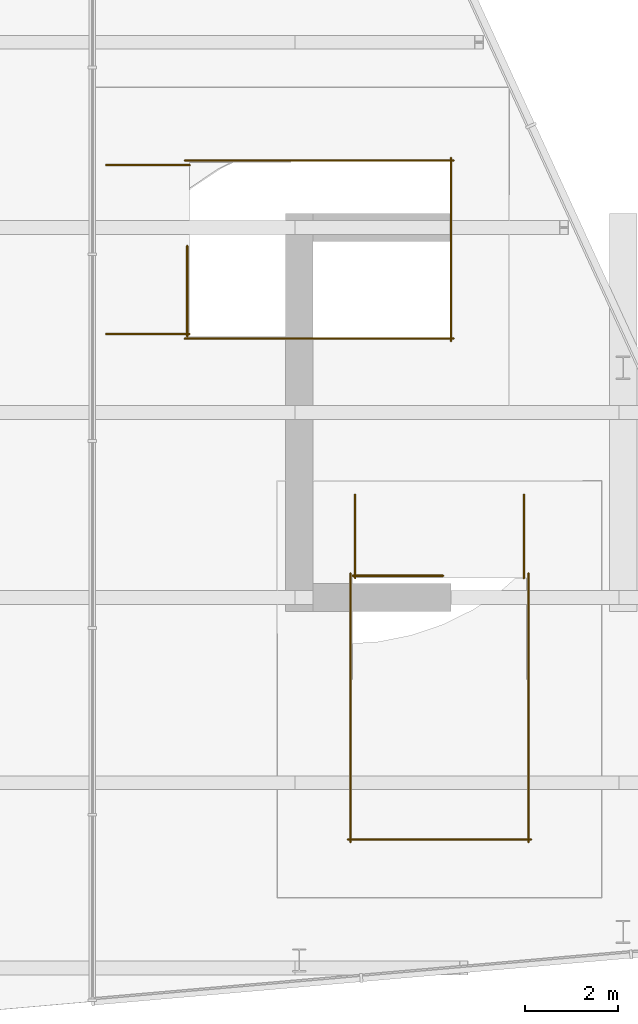
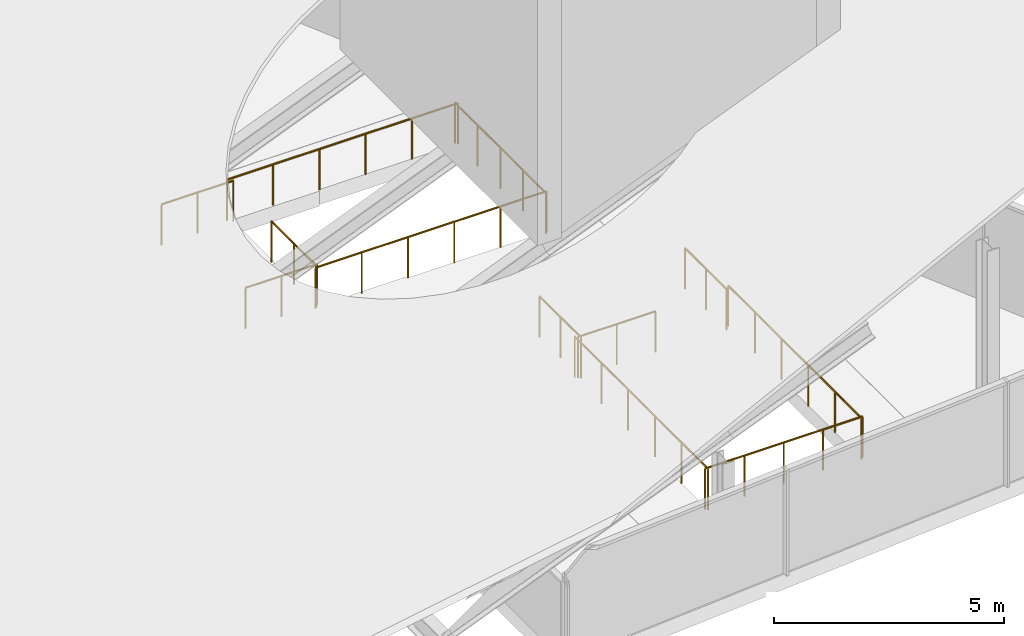
# One storey, part 8 of 8: 12 railings.
"""IFC4 building model written with IfcOpenShell, lengths in metres."""

from ifc_helpers import new_model, si_unit, direction, frame, origin, origin_2d, place, context, subcontext, project, spatial, circle, extrude, material, type_object, element, save


model = new_model("IFC4")

# Units and contexts
model_context = context("Model", 3, precision=1e-05, world=origin(), true_north=direction((0.0, 1.0)))
body_context = subcontext(model_context, "Body", "Model", "MODEL_VIEW")
ifc_project = project(units=[si_unit("LENGTHUNIT", "METRE"), si_unit("AREAUNIT", "SQUARE_METRE"), si_unit("VOLUMEUNIT", "CUBIC_METRE"), si_unit("PLANEANGLEUNIT", "RADIAN"), si_unit("MASSUNIT", "GRAM", prefix="KILO")], contexts=[model_context])

# Site, building, storey
site_placement = place(None, origin())
site = spatial("IfcSite", under=ifc_project, at=site_placement, CompositionType="ELEMENT")
building_placement = place(site_placement, origin())
building = spatial("IfcBuilding", under=site, at=building_placement, Name="Wharfspan Tower", CompositionType="ELEMENT")
storey_placement = place(building_placement, frame((0.0, 0.0, 277.100098)))
storey = spatial("IfcBuildingStorey", under=building, at=storey_placement, Name="L71", CompositionType="ELEMENT", Elevation=277.100098)

# Railings
ifc_material = material(Name="Steel S355J2", Category="steel")
railing_type = type_object("IfcRailingType", Name="Stair guard 1100", PredefinedType="GUARDRAIL", material=ifc_material)
railing_1_placement = place(storey_placement, frame((66.156738, 16.47168, 0.0)))
element("IfcRailing", 1, at=railing_1_placement, inside=storey, type_object=railing_type, Name="L71 ST7 top well guard 1", PredefinedType="GUARDRAIL", context=body_context, shape_type="SweptSolid", body=[
    extrude(circle(Radius=0.023926, at=origin_2d()), frame((0.0, 0.0, 1.076172), z_axis=(1.0, 0.0, 0.0), x_axis=(0.0, 1.0, 0.0)), (0.0, 0.0, 1.0), 1.949951),
    extrude(circle(Radius=0.020996, at=origin_2d()), origin(), (0.0, 0.0, 1.0), 1.052002),
    extrude(circle(Radius=0.020996, at=origin_2d()), frame((0.975098, 0.0, 0.0)), (0.0, 0.0, 1.0), 1.052002),
    extrude(circle(Radius=0.020996, at=origin_2d()), frame((1.949951, 0.0, 0.0)), (0.0, 0.0, 1.0), 1.052002),
])
for number, where, name in (
    (2, (66.106689, 16.521729, 0.0), "L71 ST7 top well guard 2"),
    (3, (69.956543, 16.521729, 0.0), "L71 ST7 top well guard 3"),
):
    element("IfcRailing", number, at=place(storey_placement, frame(where)), inside=storey, type_object=railing_type, Name=name, PredefinedType="GUARDRAIL", context=body_context, shape_type="SweptSolid", body=[
        extrude(circle(Radius=0.023926, at=origin_2d()), frame((0.0, 0.0, 1.076172), z_axis=(0.0, -1.0, 0.0), x_axis=(1.0, 0.0, 0.0)), (0.0, 0.0, 1.0), 5.800049),
        extrude(circle(Radius=0.020996, at=origin_2d()), origin(), (0.0, 0.0, 1.0), 1.052002),
        extrude(circle(Radius=0.020996, at=origin_2d()), frame((0.0, -1.159912, 0.0)), (0.0, 0.0, 1.0), 1.052002),
        extrude(circle(Radius=0.020996, at=origin_2d()), frame((0.0, -2.320068, 0.0)), (0.0, 0.0, 1.0), 1.052002),
        extrude(circle(Radius=0.020996, at=origin_2d()), frame((0.0, -3.47998, 0.0)), (0.0, 0.0, 1.0), 1.052002),
        extrude(circle(Radius=0.020996, at=origin_2d()), frame((0.0, -4.640137, 0.0)), (0.0, 0.0, 1.0), 1.052002),
        extrude(circle(Radius=0.020996, at=origin_2d()), frame((0.0, -5.800049, 0.0)), (0.0, 0.0, 1.0), 1.052002),
    ])
railing_2_placement = place(storey_placement, frame((66.056641, 10.771729, 0.0)))
element("IfcRailing", 4, at=railing_2_placement, inside=storey, type_object=railing_type, Name="L71 ST7 top well guard 4", PredefinedType="GUARDRAIL", context=body_context, shape_type="SweptSolid", body=[
    extrude(circle(Radius=0.023926, at=origin_2d()), frame((0.0, 0.0, 1.076172), z_axis=(1.0, 0.0, 0.0), x_axis=(0.0, 1.0, 0.0)), (0.0, 0.0, 1.0), 3.949951),
    extrude(circle(Radius=0.020996, at=origin_2d()), origin(), (0.0, 0.0, 1.0), 1.052002),
    extrude(circle(Radius=0.020996, at=origin_2d()), frame((0.987549, 0.0, 0.0)), (0.0, 0.0, 1.0), 1.052002),
    extrude(circle(Radius=0.020996, at=origin_2d()), frame((1.975098, 0.0, 0.0)), (0.0, 0.0, 1.0), 1.052002),
    extrude(circle(Radius=0.020996, at=origin_2d()), frame((2.962402, 0.0, 0.0)), (0.0, 0.0, 1.0), 1.052002),
    extrude(circle(Radius=0.020996, at=origin_2d()), frame((3.949951, 0.0, 0.0)), (0.0, 0.0, 1.0), 1.052002),
])
for number, where, name in (
    (5, (66.206543, 18.22168, 0.0), "L71 ST7 top well guard 5"),
    (6, (69.856689, 18.22168, 0.0), "L71 ST7 top well guard 6"),
):
    element("IfcRailing", number, at=place(storey_placement, frame(where)), inside=storey, type_object=railing_type, Name=name, PredefinedType="GUARDRAIL", context=body_context, shape_type="SweptSolid", body=[
        extrude(circle(Radius=0.023926, at=origin_2d()), frame((0.0, 0.0, 1.076172), z_axis=(0.0, -1.0, 0.0), x_axis=(1.0, 0.0, 0.0)), (0.0, 0.0, 1.0), 1.800049),
        extrude(circle(Radius=0.020996, at=origin_2d()), origin(), (0.0, 0.0, 1.0), 1.052002),
        extrude(circle(Radius=0.020996, at=origin_2d()), frame((0.0, -0.899902, 0.0)), (0.0, 0.0, 1.0), 1.052002),
        extrude(circle(Radius=0.020996, at=origin_2d()), frame((0.0, -1.800049, 0.0)), (0.0, 0.0, 1.0), 1.052002),
    ])
railing_3_placement = place(storey_placement, frame((62.581543, 21.646729, 0.0)))
element("IfcRailing", 7, at=railing_3_placement, inside=storey, type_object=railing_type, Name="L71 ST8 top well guard 1", PredefinedType="GUARDRAIL", context=body_context, shape_type="SweptSolid", body=[
    extrude(circle(Radius=0.023926, at=origin_2d()), frame((0.0, 0.0, 1.076172), z_axis=(0.0, 1.0, 0.0), x_axis=(-1.0, 0.0, 0.0)), (0.0, 0.0, 1.0), 1.949951),
    extrude(circle(Radius=0.020996, at=origin_2d()), origin(), (0.0, 0.0, 1.0), 1.052002),
    extrude(circle(Radius=0.020996, at=origin_2d()), frame((0.0, 0.975098, 0.0)), (0.0, 0.0, 1.0), 1.052002),
    extrude(circle(Radius=0.020996, at=origin_2d()), frame((0.0, 1.949951, 0.0)), (0.0, 0.0, 1.0), 1.052002),
])
for number, where, name in (
    (8, (62.531738, 21.59668, 0.0), "L71 ST8 top well guard 2"),
    (9, (62.531738, 25.446777, 0.0), "L71 ST8 top well guard 3"),
):
    element("IfcRailing", number, at=place(storey_placement, frame(where)), inside=storey, type_object=railing_type, Name=name, PredefinedType="GUARDRAIL", context=body_context, shape_type="SweptSolid", body=[
        extrude(circle(Radius=0.023926, at=origin_2d()), frame((0.0, 0.0, 1.076172), z_axis=(1.0, 0.0, 0.0), x_axis=(0.0, 1.0, 0.0)), (0.0, 0.0, 1.0), 5.799805),
        extrude(circle(Radius=0.020996, at=origin_2d()), origin(), (0.0, 0.0, 1.0), 1.052002),
        extrude(circle(Radius=0.020996, at=origin_2d()), frame((1.159912, 0.0, 0.0)), (0.0, 0.0, 1.0), 1.052002),
        extrude(circle(Radius=0.020996, at=origin_2d()), frame((2.319824, 0.0, 0.0)), (0.0, 0.0, 1.0), 1.052002),
        extrude(circle(Radius=0.020996, at=origin_2d()), frame((3.47998, 0.0, 0.0)), (0.0, 0.0, 1.0), 1.052002),
        extrude(circle(Radius=0.020996, at=origin_2d()), frame((4.639893, 0.0, 0.0)), (0.0, 0.0, 1.0), 1.052002),
        extrude(circle(Radius=0.020996, at=origin_2d()), frame((5.799805, 0.0, 0.0)), (0.0, 0.0, 1.0), 1.052002),
    ])
railing_4_placement = place(storey_placement, frame((68.281738, 21.546631, 0.0)))
element("IfcRailing", 10, at=railing_4_placement, inside=storey, type_object=railing_type, Name="L71 ST8 top well guard 4", PredefinedType="GUARDRAIL", context=body_context, shape_type="SweptSolid", body=[
    extrude(circle(Radius=0.023926, at=origin_2d()), frame((0.0, 0.0, 1.076172), z_axis=(0.0, 1.0, 0.0), x_axis=(-1.0, 0.0, 0.0)), (0.0, 0.0, 1.0), 3.950195),
    extrude(circle(Radius=0.020996, at=origin_2d()), origin(), (0.0, 0.0, 1.0), 1.052002),
    extrude(circle(Radius=0.020996, at=origin_2d()), frame((0.0, 0.987549, 0.0)), (0.0, 0.0, 1.0), 1.052002),
    extrude(circle(Radius=0.020996, at=origin_2d()), frame((0.0, 1.975098, 0.0)), (0.0, 0.0, 1.0), 1.052002),
    extrude(circle(Radius=0.020996, at=origin_2d()), frame((0.0, 2.962646, 0.0)), (0.0, 0.0, 1.0), 1.052002),
    extrude(circle(Radius=0.020996, at=origin_2d()), frame((0.0, 3.950195, 0.0)), (0.0, 0.0, 1.0), 1.052002),
])
for number, where, name in (
    (11, (60.831543, 21.696777, 0.0), "L71 ST8 top well guard 5"),
    (12, (60.831543, 25.34668, 0.0), "L71 ST8 top well guard 6"),
):
    element("IfcRailing", number, at=place(storey_placement, frame(where)), inside=storey, type_object=railing_type, Name=name, PredefinedType="GUARDRAIL", context=body_context, shape_type="SweptSolid", body=[
        extrude(circle(Radius=0.023926, at=origin_2d()), frame((0.0, 0.0, 1.076172), z_axis=(1.0, 0.0, 0.0), x_axis=(0.0, 1.0, 0.0)), (0.0, 0.0, 1.0), 1.800049),
        extrude(circle(Radius=0.020996, at=origin_2d()), origin(), (0.0, 0.0, 1.0), 1.052002),
        extrude(circle(Radius=0.020996, at=origin_2d()), frame((0.899902, 0.0, 0.0)), (0.0, 0.0, 1.0), 1.052002),
        extrude(circle(Radius=0.020996, at=origin_2d()), frame((1.800049, 0.0, 0.0)), (0.0, 0.0, 1.0), 1.052002),
    ])

save(model, "model.ifc")
